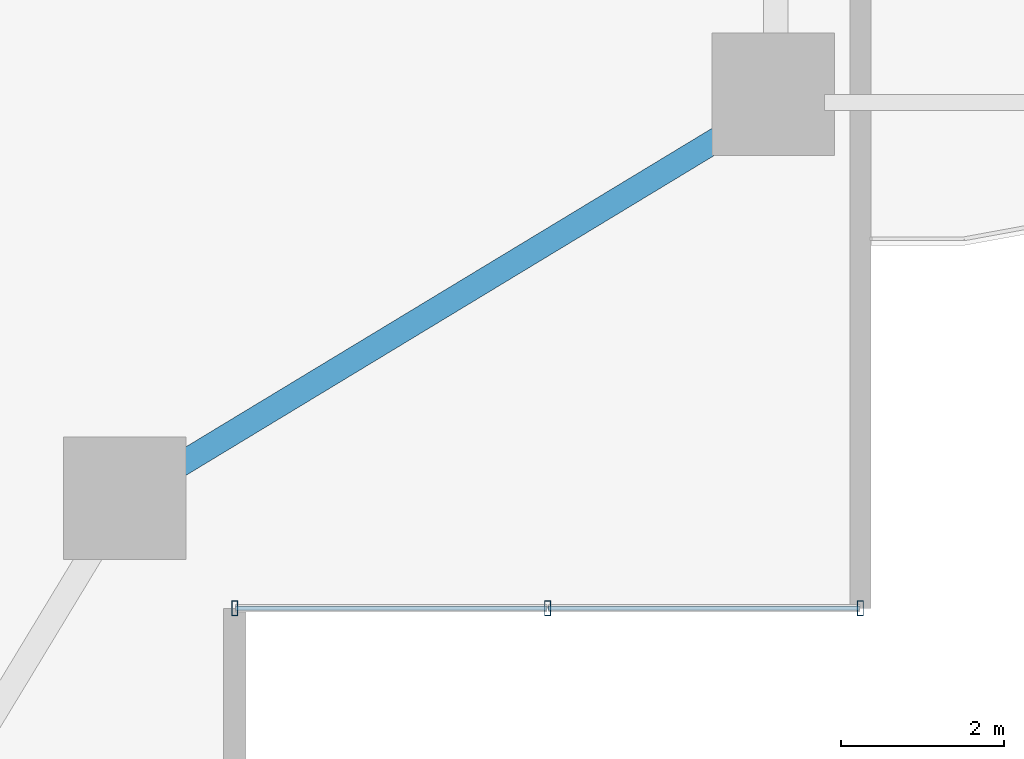
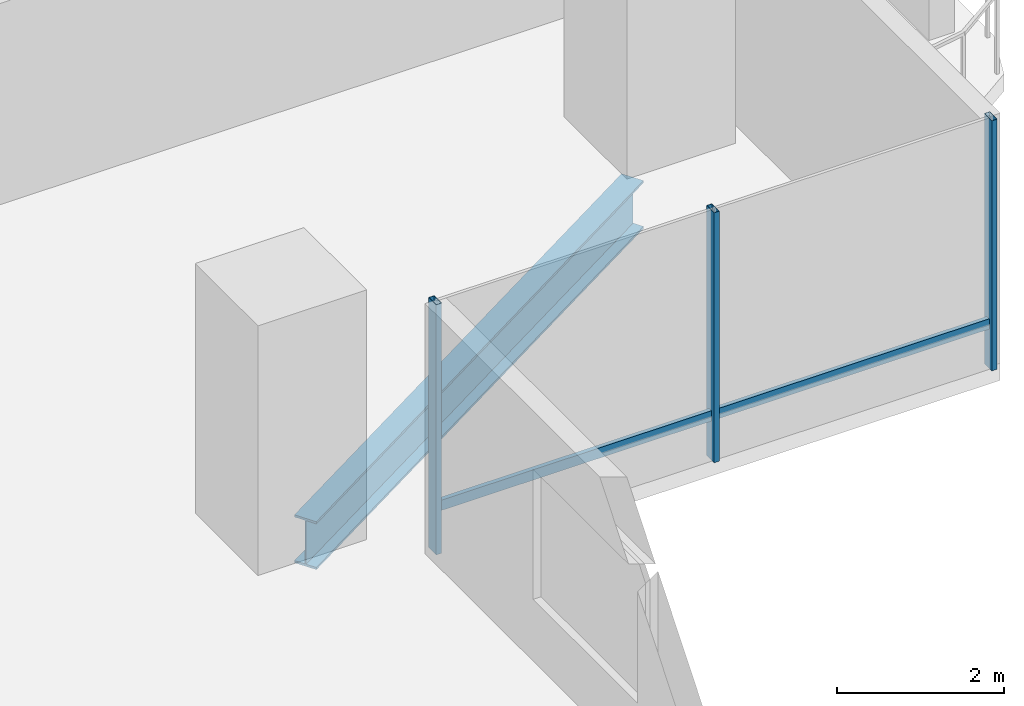
# One storey, part 10 of 30: 5 members, 1 beam, 1 element without a shape of its own.
"""IFC4 building model written with IfcOpenShell, lengths in metres."""

from ifc_helpers import new_model, si_unit, direction, frame, origin, origin_2d, place, context, subcontext, project, spatial, hollow_rectangle, i_section, extrude, material, layer, layer_set, material_profile, profile_set, type_object, element, aggregate, save


model = new_model("IFC4")

# Units and contexts
model_context = context("Model", 3, precision=1e-05, world=origin(), true_north=direction((0.0, 1.0)))
body_context = subcontext(model_context, "Body", "Model", "MODEL_VIEW")
ifc_project = project(units=[si_unit("LENGTHUNIT", "METRE"), si_unit("AREAUNIT", "SQUARE_METRE"), si_unit("VOLUMEUNIT", "CUBIC_METRE"), si_unit("PLANEANGLEUNIT", "RADIAN"), si_unit("MASSUNIT", "GRAM", prefix="KILO")], contexts=[model_context])

# Site, building, storey
site_placement = place(None, origin())
site = spatial("IfcSite", under=ifc_project, at=site_placement, CompositionType="ELEMENT")
building_placement = place(site_placement, origin())
building = spatial("IfcBuilding", under=site, at=building_placement, Name="Belovzor Exchange Tower", CompositionType="ELEMENT")
storey_placement = place(building_placement, frame((0.0, 0.0, 30.0)))
storey = spatial("IfcBuildingStorey", under=building, at=storey_placement, Name="L06", CompositionType="ELEMENT", Elevation=30.0)

# Curtain wall, members
ifc_material_1 = material(Name="Anodised Aluminium Framing", Category="aluminium")
ifc_layer = layer(ifc_material_1, 0.195068359375)
ifc_layer_set = layer_set([ifc_layer], Name="Anodised Aluminium Framing")
curtain_wall_type = type_object("IfcCurtainWallType", Name="Notched Re-Entrant Corner Unitised Curtain Wall", PredefinedType="NOTDEFINED", material=ifc_layer_set)
curtain_wall_placement = place(storey_placement, origin())
curtain_wall = element("IfcCurtainWall", 1, at=curtain_wall_placement, inside=storey, type_object=curtain_wall_type, Name="CW5 Notched Re-Entrant Corner Unitised Curtain Wall L06", PredefinedType="NOTDEFINED")
ifc_material_2 = material(Name="Steel S355", Category="steel")
ifc_material_profile_1 = material_profile(ifc_material_2, hollow_rectangle(XDim=0.074951171875, YDim=0.179931640625, WallThickness=0.0048828125, at=origin_2d()))
ifc_profile_set_1 = profile_set([ifc_material_profile_1], Name="Steel S355")
member_type_1 = type_object("IfcMemberType", Name="Thermally Broken Curtain Wall Mullion 180x75", PredefinedType="MULLION", material=ifc_profile_set_1)
member_1_placement = place(storey_placement, frame((56.570068359375, 8.699951171875, 0.0), z_axis=(0.0, 0.0, 1.0), x_axis=(-1.0, 0.0, 0.0)))
member_1 = element("IfcMember", 2, at=member_1_placement, type_object=member_type_1, Name="CW-M180 Curtain Wall Mullion 1", PredefinedType="MULLION", context=body_context, shape_type="SweptSolid", body=[
    extrude(hollow_rectangle(XDim=0.074951171875, YDim=0.179931640625, WallThickness=0.0048828125, at=origin_2d()), origin(), (0.0, 0.0, 1.0), 3.64990234375),
])
member_2_placement = place(storey_placement, frame((52.735107421875, 8.699951171875, 0.0), z_axis=(0.0, 0.0, 1.0), x_axis=(-1.0, 0.0, 0.0)))
member_2 = element("IfcMember", 3, at=member_2_placement, type_object=member_type_1, Name="CW-M180 Curtain Wall Mullion 2", PredefinedType="MULLION", context=body_context, shape_type="SweptSolid", body=[
    extrude(hollow_rectangle(XDim=0.074951171875, YDim=0.179931640625, WallThickness=0.0048828125, at=origin_2d()), origin(), (0.0, 0.0, 1.0), 3.64990234375),
])
member_3_placement = place(storey_placement, frame((48.89990234375, 8.699951171875, 0.0), z_axis=(0.0, 0.0, 1.0), x_axis=(-1.0, 0.0, 0.0)))
member_3 = element("IfcMember", 4, at=member_3_placement, type_object=member_type_1, Name="CW-M180 Curtain Wall Mullion 3", PredefinedType="MULLION", context=body_context, shape_type="SweptSolid", body=[
    extrude(hollow_rectangle(XDim=0.074951171875, YDim=0.179931640625, WallThickness=0.0048828125, at=origin_2d()), origin(), (0.0, 0.0, 1.0), 3.64990234375),
])
ifc_material_3 = material(Name="Steel S355", Category="steel")
ifc_material_profile_2 = material_profile(ifc_material_3, hollow_rectangle(XDim=0.06005859375, YDim=0.14990234375, WallThickness=0.00390625, at=origin_2d()))
ifc_profile_set_2 = profile_set([ifc_material_profile_2], Name="Steel S355")
member_type_2 = type_object("IfcMemberType", Name="Thermally Broken Curtain Wall Transom 150x60", PredefinedType="USERDEFINED", material=ifc_profile_set_2)
member_4_placement = place(storey_placement, frame((56.56201171875, 8.699951171875, 0.64990234375), z_axis=(-1.0, 0.0, 0.0), x_axis=(0.0, -1.0, 0.0)))
member_4 = element("IfcMember", 5, at=member_4_placement, type_object=member_type_2, Name="CW-T150 Curtain Wall Transom 1", ObjectType="TRANSOM", PredefinedType="USERDEFINED", context=body_context, shape_type="SweptSolid", body=[
    extrude(hollow_rectangle(XDim=0.06005859375, YDim=0.14990234375, WallThickness=0.00390625, at=origin_2d()), origin(), (0.0, 0.0, 1.0), 3.819091796875),
])
member_5_placement = place(storey_placement, frame((52.72705078125, 8.699951171875, 0.64990234375), z_axis=(-1.0, 0.0, 0.0), x_axis=(0.0, -1.0, 0.0)))
member_5 = element("IfcMember", 6, at=member_5_placement, type_object=member_type_2, Name="CW-T150 Curtain Wall Transom 2", ObjectType="TRANSOM", PredefinedType="USERDEFINED", context=body_context, shape_type="SweptSolid", body=[
    extrude(hollow_rectangle(XDim=0.06005859375, YDim=0.14990234375, WallThickness=0.00390625, at=origin_2d()), origin(), (0.0, 0.0, 1.0), 3.819091796875),
])
aggregate(curtain_wall, [member_1, member_2, member_3, member_4, member_5])

# Beam
ifc_material_4 = material(Name="Steel S355", Category="steel")
ifc_material_profile_3 = material_profile(ifc_material_4, i_section(OverallWidth=0.300048828125, OverallDepth=0.699951171875, WebThickness=0.01708984375, FlangeThickness=0.031982421875, at=origin_2d()))
ifc_profile_set_3 = profile_set([ifc_material_profile_3], Name="Steel S355")
beam_type = type_object("IfcBeamType", Name="Zone 1 Primary Perimeter Girder HEB 700", PredefinedType="BEAM", material=ifc_profile_set_3)
beam_placement = place(storey_placement, frame((48.068115234375, 10.363037109375, -0.60009765625), z_axis=(0.855445378002, 0.517893044224, 0.0), x_axis=(-0.517893044224, 0.855445378002, 0.0)))
element("IfcBeam", 7, at=beam_placement, inside=storey, type_object=beam_type, Name="FG-Z1 Zone 1 Primary Perimeter Girder HEB 700", PredefinedType="BEAM", context=body_context, shape_type="SweptSolid", body=[
    extrude(i_section(OverallWidth=0.300048828125, OverallDepth=0.699951171875, WebThickness=0.01708984375, FlangeThickness=0.031982421875, at=origin_2d()), origin(), (0.0, 0.0, 1.0), 8.1171875),
])

save(model, "model.ifc")
